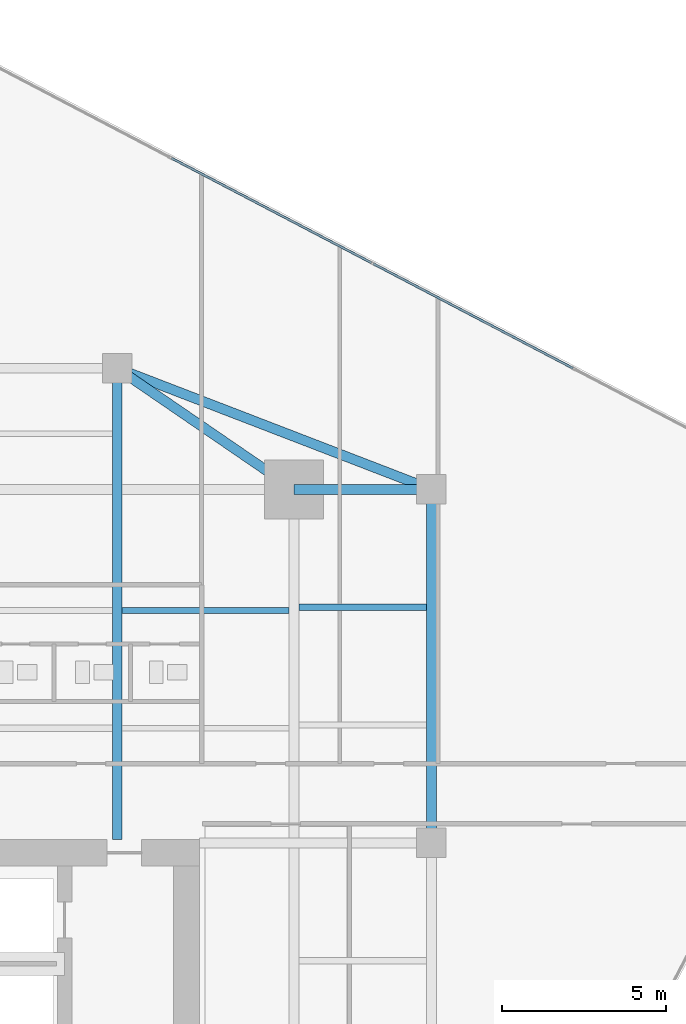
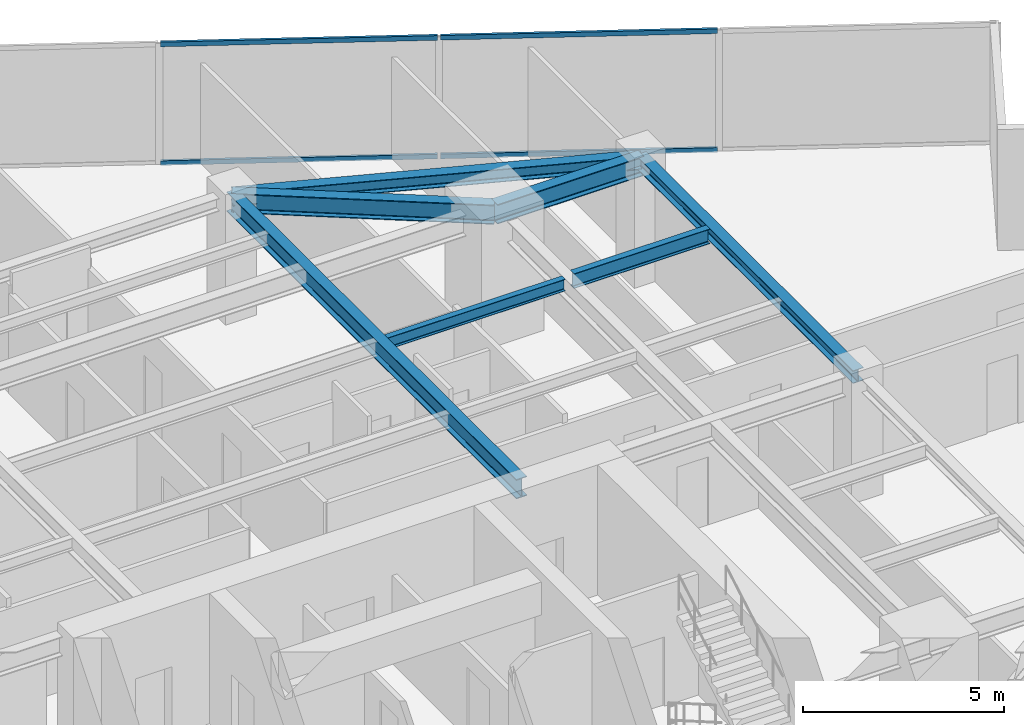
# One storey, part 18 of 27: 7 beams, 4 members, 1 element without a shape of its own.
"""IFC4 building model written with IfcOpenShell, lengths in metres."""

from ifc_helpers import new_model, si_unit, direction, frame, origin, origin_2d, place, context, subcontext, project, spatial, hollow_rectangle, i_section, extrude, source, transform, mapped, material, material_profile, profile_set, type_object, type_shapes, element, aggregate, save


model = new_model("IFC4")

# Units and contexts
model_context = context("Model", 3, precision=1e-05, world=origin(), true_north=direction((0.0, 1.0)))
body_context = subcontext(model_context, "Body", "Model", "MODEL_VIEW")
ifc_project = project(units=[si_unit("LENGTHUNIT", "METRE"), si_unit("AREAUNIT", "SQUARE_METRE"), si_unit("VOLUMEUNIT", "CUBIC_METRE"), si_unit("PLANEANGLEUNIT", "RADIAN"), si_unit("MASSUNIT", "GRAM", prefix="KILO")], contexts=[model_context])

# Site, building, storey
site_placement = place(None, origin())
site = spatial("IfcSite", under=ifc_project, at=site_placement, CompositionType="ELEMENT")
building_placement = place(site_placement, origin())
building = spatial("IfcBuilding", under=site, at=building_placement, Name="Krantzveldt Concourse Tower", CompositionType="ELEMENT")
storey_placement = place(building_placement, frame((0.0, 0.0, 150.14990234375)))
storey = spatial("IfcBuildingStorey", under=building, at=storey_placement, Name="L36", CompositionType="ELEMENT", Elevation=150.14990234375)

# Beams
ifc_material_1 = material(Name="Steel S355JR", Category="steel")
ifc_material_profile_1 = material_profile(ifc_material_1, i_section(OverallWidth=0.300048828125, OverallDepth=0.590087890625, WebThickness=0.012939453125, FlangeThickness=0.02490234375, FilletRadius=0.027099609375, at=origin_2d()), Name="Steel S355JR", Category="steel")
ifc_profile_set_1 = profile_set([ifc_material_profile_1], Name="Steel S355JR - HEA 600")
beam_type_1 = type_object("IfcBeamType", Name="BM-B-HEA600", PredefinedType="BEAM", material=ifc_profile_set_1)
shared_shape_1 = source(origin(), body_context, "Body", "SweptSolid", [
    extrude(i_section(OverallWidth=0.300048828125, OverallDepth=0.590087890625, WebThickness=0.012939453125, FlangeThickness=0.02490234375, FilletRadius=0.027099609375, at=origin_2d()), origin(), (0.0, 0.0, 1.0), 14.39990234375),
])
beam_1_placement = place(storey_placement, frame((41.39990234375, 26.800048828125, 3.375), z_axis=(0.0, 1.0, 0.0), x_axis=(-1.0, 0.0, 0.0)))
element("IfcBeam", 1, at=beam_1_placement, inside=storey, type_object=beam_type_1, Name="L36 Tower Girder BG-CNE", PredefinedType="BEAM", context=body_context, shape_type="MappedRepresentation", body=[
    mapped(shared_shape_1, transform((0.0, 0.0, 0.0), x_axis=(1.0, 0.0, 0.0), y_axis=(0.0, 1.0, 0.0), z_axis=(0.0, 0.0, 1.0), scale=1.0)),
])
shared_shape_2 = source(origin(), body_context, "Body", "SweptSolid", [
    extrude(i_section(OverallWidth=0.300048828125, OverallDepth=0.590087890625, WebThickness=0.012939453125, FlangeThickness=0.02490234375, FilletRadius=0.027099609375, at=origin_2d()), origin(), (0.0, 0.0, 1.0), 4.199951171875),
])
beam_2_placement = place(storey_placement, frame((46.800048828125, 37.5, 3.375), z_axis=(1.0, 0.0, 0.0), x_axis=(0.0, 1.0, 0.0)))
element("IfcBeam", 2, at=beam_2_placement, inside=storey, type_object=beam_type_1, Name="L36 Tower Girder BR-RR3", PredefinedType="BEAM", context=body_context, shape_type="MappedRepresentation", body=[
    mapped(shared_shape_2, transform((0.0, 0.0, 0.0), x_axis=(1.0, 0.0, 0.0), y_axis=(0.0, 1.0, 0.0), z_axis=(0.0, 0.0, 1.0), scale=1.0)),
])
shared_shape_3 = source(origin(), body_context, "Body", "SweptSolid", [
    extrude(i_section(OverallWidth=0.300048828125, OverallDepth=0.590087890625, WebThickness=0.012939453125, FlangeThickness=0.02490234375, FilletRadius=0.027099609375, at=origin_2d()), origin(), (0.0, 0.0, 1.0), 6.546142578125),
])
type_shapes(beam_type_1, [shared_shape_1, shared_shape_2, shared_shape_3])
beam_3_placement = place(storey_placement, frame((46.800048828125, 37.5, 3.375), z_axis=(-0.824942999484, 0.565215930068, 0.0), x_axis=(-0.565215930068, -0.824942999484, 0.0)))
element("IfcBeam", 3, at=beam_3_placement, inside=storey, type_object=beam_type_1, Name="L36 Tower Girder BR-RR4", PredefinedType="BEAM", context=body_context, shape_type="MappedRepresentation", body=[
    mapped(shared_shape_3, transform((0.0, 0.0, 0.0), x_axis=(1.0, 0.0, 0.0), y_axis=(0.0, 1.0, 0.0), z_axis=(0.0, 0.0, 1.0), scale=1.0)),
])
ifc_material_profile_2 = material_profile(ifc_material_1, i_section(OverallWidth=0.300048828125, OverallDepth=0.389892578125, WebThickness=0.010986328125, FlangeThickness=0.01904296875, FilletRadius=0.027099609375, at=origin_2d()), Name="Steel S355JR", Category="steel")
ifc_profile_set_2 = profile_set([ifc_material_profile_2], Name="Steel S355JR - HEA 400")
beam_type_2 = type_object("IfcBeamType", Name="BM-SP-HEA400", PredefinedType="SPANDREL", material=ifc_profile_set_2)
shared_shape_4 = source(origin(), body_context, "Body", "SweptSolid", [
    extrude(i_section(OverallWidth=0.300048828125, OverallDepth=0.389892578125, WebThickness=0.010986328125, FlangeThickness=0.01904296875, FilletRadius=0.027099609375, at=origin_2d()), origin(), (0.0, 0.0, 1.0), 10.800048828125),
])
beam_4_placement = place(storey_placement, frame((51.0, 37.5, 3.47509765625), z_axis=(0.0, -1.0, 0.0), x_axis=(1.0, 0.0, 0.0)))
element("IfcBeam", 4, at=beam_4_placement, inside=storey, type_object=beam_type_2, Name="L36 Tower Girder SP-R06", PredefinedType="SPANDREL", context=body_context, shape_type="MappedRepresentation", body=[
    mapped(shared_shape_4, transform((0.0, 0.0, 0.0), x_axis=(1.0, 0.0, 0.0), y_axis=(0.0, 1.0, 0.0), z_axis=(0.0, 0.0, 1.0), scale=1.0)),
])
shared_shape_5 = source(origin(), body_context, "Body", "SweptSolid", [
    extrude(i_section(OverallWidth=0.300048828125, OverallDepth=0.389892578125, WebThickness=0.010986328125, FlangeThickness=0.01904296875, FilletRadius=0.027099609375, at=origin_2d()), origin(), (0.0, 0.0, 1.0), 10.288330078125),
])
type_shapes(beam_type_2, [shared_shape_4, shared_shape_5])
beam_5_placement = place(storey_placement, frame((41.39990234375, 41.199951171875, 3.47509765625), z_axis=(0.933097690408, -0.359622997257, 0.0), x_axis=(0.359622997257, 0.933097690408, 0.0)))
element("IfcBeam", 5, at=beam_5_placement, inside=storey, type_object=beam_type_2, Name="L36 Tower Girder SP-R05", PredefinedType="SPANDREL", context=body_context, shape_type="MappedRepresentation", body=[
    mapped(shared_shape_5, transform((0.0, 0.0, 0.0), x_axis=(1.0, 0.0, 0.0), y_axis=(0.0, 1.0, 0.0), z_axis=(0.0, 0.0, 1.0), scale=1.0)),
])
ifc_material_profile_3 = material_profile(ifc_material_1, i_section(OverallWidth=0.169921875, OverallDepth=0.360107421875, WebThickness=0.008056640625, FlangeThickness=0.0126953125, FilletRadius=0.01806640625, at=origin_2d()), Name="Steel S355JR", Category="steel")
ifc_profile_set_3 = profile_set([ifc_material_profile_3], Name="Steel S355JR - IPE 360")
beam_type_3 = type_object("IfcBeamType", Name="BM-J-IPE360", PredefinedType="JOIST", material=ifc_profile_set_3)
shared_shape_6 = source(origin(), body_context, "Body", "SweptSolid", [
    extrude(i_section(OverallWidth=0.169921875, OverallDepth=0.360107421875, WebThickness=0.008056640625, FlangeThickness=0.0126953125, FilletRadius=0.01806640625, at=origin_2d()), origin(), (0.0, 0.0, 1.0), 5.099853515625),
])
type_shapes(beam_type_3, [shared_shape_6])
beam_6_placement = place(storey_placement, frame((41.550048828125, 33.800048828125, 3.489990234375), z_axis=(1.0, 0.0, 0.0), x_axis=(0.0, 1.0, 0.0)))
element("IfcBeam", 6, at=beam_6_placement, inside=storey, type_object=beam_type_3, Name="L36 Secondary Floor Joist JN-E2", PredefinedType="JOIST", context=body_context, shape_type="MappedRepresentation", body=[
    mapped(shared_shape_6, transform((0.0, 0.0, 0.0), x_axis=(1.0, 0.0, 0.0), y_axis=(0.0, 1.0, 0.0), z_axis=(0.0, 0.0, 1.0), scale=1.0)),
])
ifc_material_profile_4 = material_profile(ifc_material_1, i_section(OverallWidth=0.18994140625, OverallDepth=0.449951171875, WebThickness=0.009521484375, FlangeThickness=0.0146484375, FilletRadius=0.02099609375, at=origin_2d()), Name="Steel S355JR", Category="steel")
ifc_profile_set_4 = profile_set([ifc_material_profile_4], Name="Steel S355JR - IPE 450")
beam_type_4 = type_object("IfcBeamType", Name="BM-J-IPE450", PredefinedType="JOIST", material=ifc_profile_set_4)
shared_shape_7 = source(origin(), body_context, "Body", "SweptSolid", [
    extrude(i_section(OverallWidth=0.18994140625, OverallDepth=0.449951171875, WebThickness=0.009521484375, FlangeThickness=0.0146484375, FilletRadius=0.02099609375, at=origin_2d()), origin(), (0.0, 0.0, 1.0), 3.900146484375),
])
type_shapes(beam_type_4, [shared_shape_7])
beam_7_placement = place(storey_placement, frame((46.949951171875, 33.89990234375, 3.445068359375), z_axis=(1.0, 0.0, 0.0), x_axis=(0.0, 1.0, 0.0)))
element("IfcBeam", 7, at=beam_7_placement, inside=storey, type_object=beam_type_4, Name="L36 Secondary Floor Joist JE-4", PredefinedType="JOIST", context=body_context, shape_type="MappedRepresentation", body=[
    mapped(shared_shape_7, transform((0.0, 0.0, 0.0), x_axis=(1.0, 0.0, 0.0), y_axis=(0.0, 1.0, 0.0), z_axis=(0.0, 0.0, 1.0), scale=1.0)),
])

# Curtain wall, members
ifc_material_2 = material(Name="Anodised aluminium 6063-T6", Category="aluminium")
curtain_wall_type = type_object("IfcCurtainWallType", Name="CW3", PredefinedType="USERDEFINED", material=ifc_material_2)
curtain_wall_placement = place(storey_placement, origin())
curtain_wall = element("IfcCurtainWall", 8, at=curtain_wall_placement, inside=storey, type_object=curtain_wall_type, Name="CW-L36-F10", ObjectType="UNITISED CURTAIN WALL", PredefinedType="USERDEFINED")
ifc_material_profile_5 = material_profile(ifc_material_2, hollow_rectangle(XDim=0.070068359375, YDim=0.139892578125, WallThickness=0.0048828125, at=origin_2d()), Name="Anodised aluminium 6063-T6", Category="aluminium")
ifc_profile_set_5 = profile_set([ifc_material_profile_5], Name="Anodised aluminium 6063-T6 - ALU-TRAN 140x70x5")
member_type = type_object("IfcMemberType", Name="CW-TRN-150", PredefinedType="USERDEFINED", material=ifc_profile_set_5)
shared_shape_8 = source(origin(), body_context, "Body", "SweptSolid", [
    extrude(hollow_rectangle(XDim=0.070068359375, YDim=0.139892578125, WallThickness=0.0048828125, at=origin_2d()), origin(), (0.0, 0.0, 1.0), 6.89013671875),
])
member_1_placement = place(storey_placement, frame((49.165283203125, 44.42626953125, 0.03515625), z_axis=(-0.88600416291, 0.463677283577, 0.0), x_axis=(-0.463677283577, -0.88600416291, 0.0)))
member_1 = element("IfcMember", 9, at=member_1_placement, type_object=member_type, Name="CW-Z34 transom 3.1", ObjectType="TRANSOM", PredefinedType="USERDEFINED", context=body_context, shape_type="MappedRepresentation", body=[
    mapped(shared_shape_8, transform((0.0, 0.0, 0.0), x_axis=(1.0, 0.0, 0.0), y_axis=(0.0, 1.0, 0.0), z_axis=(0.0, 0.0, 1.0), scale=1.0)),
])
member_2_placement = place(storey_placement, frame((49.165283203125, 44.42626953125, 3.635009765625), z_axis=(-0.88600416291, 0.463677283577, 0.0), x_axis=(-0.463677283577, -0.88600416291, 0.0)))
member_2 = element("IfcMember", 10, at=member_2_placement, type_object=member_type, Name="CW-Z34 transom 3.2", ObjectType="TRANSOM", PredefinedType="USERDEFINED", context=body_context, shape_type="MappedRepresentation", body=[
    mapped(shared_shape_8, transform((0.0, 0.0, 0.0), x_axis=(1.0, 0.0, 0.0), y_axis=(0.0, 1.0, 0.0), z_axis=(0.0, 0.0, 1.0), scale=1.0)),
])
shared_shape_9 = source(origin(), body_context, "Body", "SweptSolid", [
    extrude(hollow_rectangle(XDim=0.070068359375, YDim=0.139892578125, WallThickness=0.0048828125, at=origin_2d()), origin(), (0.0, 0.0, 1.0), 6.889892578125),
])
type_shapes(member_type, [shared_shape_8, shared_shape_9])
member_3_placement = place(storey_placement, frame((55.331787109375, 41.198974609375, 0.03515625), z_axis=(-0.885996544559, 0.46369184059, 0.0), x_axis=(-0.46369184059, -0.885996544559, 0.0)))
member_3 = element("IfcMember", 11, at=member_3_placement, type_object=member_type, Name="CW-Z34 transom 2.1", ObjectType="TRANSOM", PredefinedType="USERDEFINED", context=body_context, shape_type="MappedRepresentation", body=[
    mapped(shared_shape_9, transform((0.0, 0.0, 0.0), x_axis=(1.0, 0.0, 0.0), y_axis=(0.0, 1.0, 0.0), z_axis=(0.0, 0.0, 1.0), scale=1.0)),
])
member_4_placement = place(storey_placement, frame((55.331787109375, 41.198974609375, 3.635009765625), z_axis=(-0.885996544559, 0.46369184059, 0.0), x_axis=(-0.46369184059, -0.885996544559, 0.0)))
member_4 = element("IfcMember", 12, at=member_4_placement, type_object=member_type, Name="CW-Z34 transom 2.2", ObjectType="TRANSOM", PredefinedType="USERDEFINED", context=body_context, shape_type="MappedRepresentation", body=[
    mapped(shared_shape_9, transform((0.0, 0.0, 0.0), x_axis=(1.0, 0.0, 0.0), y_axis=(0.0, 1.0, 0.0), z_axis=(0.0, 0.0, 1.0), scale=1.0)),
])
aggregate(curtain_wall, [member_3, member_4, member_1, member_2])

save(model, "model.ifc")
